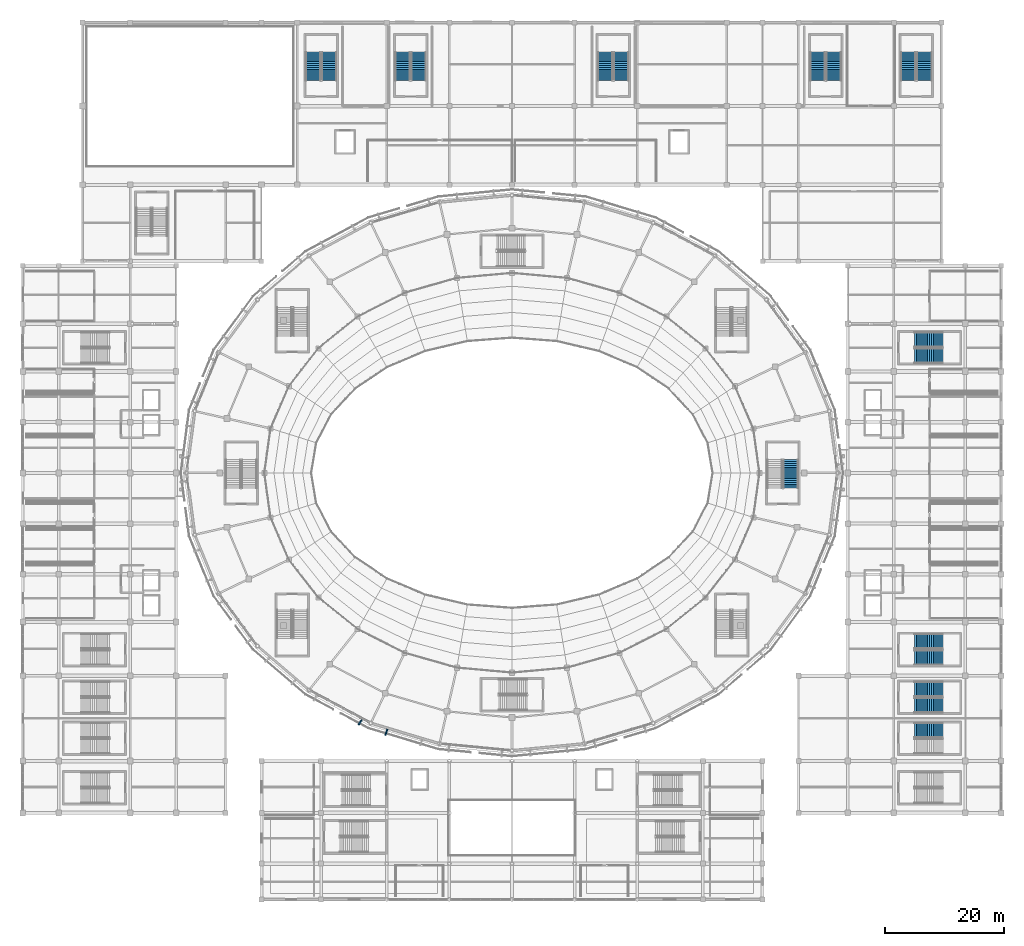
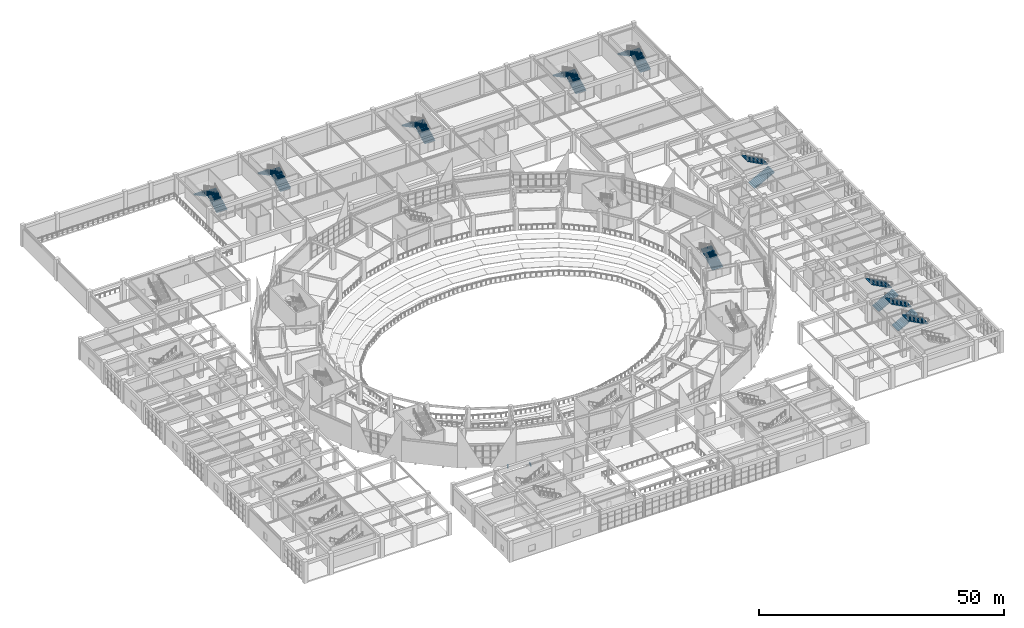
# One storey, part 88 of 120: 18 stair flights, 2 discrete accessories, 10 elements without a shape of their own.
"""IFC4 building model written with IfcOpenShell, lengths in metres."""

from ifc_helpers import new_model, si_unit, direction, frame, origin, origin_2d, place, context, subcontext, project, spatial, polyline, rectangle, outline, extrude, material, type_object, element, aggregate, save


model = new_model("IFC4")

# Units and contexts
model_context = context("Model", 3, precision=1e-05, world=origin(), true_north=direction((0.0, 1.0)))
body_context = subcontext(model_context, "Body", "Model", "MODEL_VIEW")
ifc_project = project(units=[si_unit("LENGTHUNIT", "METRE"), si_unit("AREAUNIT", "SQUARE_METRE"), si_unit("VOLUMEUNIT", "CUBIC_METRE"), si_unit("PLANEANGLEUNIT", "RADIAN"), si_unit("MASSUNIT", "GRAM", prefix="KILO")], contexts=[model_context])

# Site, building, storey
site_placement = place(None, origin())
site = spatial("IfcSite", under=ifc_project, at=site_placement, CompositionType="ELEMENT")
building_placement = place(site_placement, origin())
building = spatial("IfcBuilding", under=site, at=building_placement, Name="Cuetzalor Civic Arena", CompositionType="ELEMENT")
storey_placement = place(building_placement, frame((0.0, 0.0, 6.0)))
storey = spatial("IfcBuildingStorey", under=building, at=storey_placement, Name="L01", CompositionType="ELEMENT", Elevation=6.0)

# Stair, stair flight
ifc_material_1 = material(Name="Precast concrete C40/50", Category="concrete")
stair_type = type_object("IfcStairType", Name="EnclosedExitStair_H540", PredefinedType="HALF_TURN_STAIR", material=ifc_material_1)
stair_1_placement = place(storey_placement, origin())
stair_1 = element("IfcStair", 1, at=stair_1_placement, inside=storey, type_object=stair_type, Name="L01 Enclosed Exit Stair ST-01", PredefinedType="HALF_TURN_STAIR")
ifc_material_2 = material(Name="Precast concrete C40/50", Category="concrete")
stair_flight_type = type_object("IfcStairFlightType", Name="ExitStairFlight_H540", PredefinedType="STRAIGHT", material=ifc_material_2)
stair_flight_1_placement = place(storey_placement, frame((46.75, -2.550048828125, 0.0), z_axis=(0.0, 0.0, 1.0), x_axis=(0.0, 1.0, 0.0)))
stair_flight_1 = element("IfcStairFlight", 2, at=stair_flight_1_placement, type_object=stair_flight_type, Name="ST-01 flight 1", NumberOfRisers=16, NumberOfTreads=15, PredefinedType="STRAIGHT", RiserHeight=0.16875, TreadLength=0.318, context=body_context, shape_type="SweptSolid", body=[
    extrude(outline(polyline([(0.0, 0.0), (0.0, 0.168701171875), (0.318115234375, 0.168701171875), (0.318115234375, 0.33740234375), (0.635986328125, 0.33740234375), (0.635986328125, 0.50634765625), (0.9541015625, 0.50634765625), (0.9541015625, 0.675048828125), (1.27197265625, 0.675048828125), (1.27197265625, 0.84375), (1.590087890625, 0.84375), (1.590087890625, 1.012451171875), (1.907958984375, 1.012451171875), (1.907958984375, 1.18115234375), (2.22607421875, 1.18115234375), (2.22607421875, 1.35009765625), (2.5439453125, 1.35009765625), (2.5439453125, 1.518798828125), (2.862060546875, 1.518798828125), (2.862060546875, 1.6875), (3.179931640625, 1.6875), (3.179931640625, 1.856201171875), (3.498046875, 1.856201171875), (3.498046875, 2.02490234375), (3.81591796875, 2.02490234375), (3.81591796875, 2.19384765625), (4.134033203125, 2.19384765625), (4.134033203125, 2.362548828125), (4.451904296875, 2.362548828125), (4.451904296875, 2.53125), (4.77001953125, 2.53125), (4.77001953125, 2.699951171875), (4.77001953125, 2.32763671875), (0.3837890625, 0.0), (0.0, 0.0)])), frame((0.0, 1.25, 0.0), z_axis=(0.0, -1.0, 0.0), x_axis=(1.0, 0.0, 0.0)), (0.0, 0.0, 1.0), 2.5),
])
aggregate(stair_1, [stair_flight_1])

stair_2_placement = place(storey_placement, origin())
stair_2 = element("IfcStair", 3, at=stair_2_placement, inside=storey, type_object=stair_type, Name="L01 Enclosed Exit Stair ST-19", PredefinedType="HALF_TURN_STAIR")
stair_flight_2_placement = place(storey_placement, frame((72.219970703125, -43.14990234375, 2.699951171875), z_axis=(0.0, 0.0, 1.0), x_axis=(-1.0, 0.0, 0.0)))
stair_flight_2 = element("IfcStairFlight", 4, at=stair_flight_2_placement, type_object=stair_flight_type, Name="ST-19 flight 2", NumberOfRisers=16, NumberOfTreads=15, PredefinedType="STRAIGHT", RiserHeight=0.16875, TreadLength=0.318, context=body_context, shape_type="SweptSolid", body=[
    extrude(outline(polyline([(0.0, 0.0), (0.0, 0.168701171875), (0.318115234375, 0.168701171875), (0.318115234375, 0.33740234375), (0.635986328125, 0.33740234375), (0.635986328125, 0.50634765625), (0.9541015625, 0.50634765625), (0.9541015625, 0.675048828125), (1.27197265625, 0.675048828125), (1.27197265625, 0.84375), (1.590087890625, 0.84375), (1.590087890625, 1.012451171875), (1.907958984375, 1.012451171875), (1.907958984375, 1.18115234375), (2.22607421875, 1.18115234375), (2.22607421875, 1.35009765625), (2.5439453125, 1.35009765625), (2.5439453125, 1.518798828125), (2.862060546875, 1.518798828125), (2.862060546875, 1.6875), (3.179931640625, 1.6875), (3.179931640625, 1.856201171875), (3.498046875, 1.856201171875), (3.498046875, 2.02490234375), (3.81591796875, 2.02490234375), (3.81591796875, 2.19384765625), (4.134033203125, 2.19384765625), (4.134033203125, 2.362548828125), (4.451904296875, 2.362548828125), (4.451904296875, 2.53125), (4.77001953125, 2.53125), (4.77001953125, 2.699951171875), (4.77001953125, 2.32763671875), (0.3837890625, 0.0), (0.0, 0.0)])), frame((0.0, 1.25, 0.0), z_axis=(0.0, -1.0, 0.0), x_axis=(1.0, 0.0, 0.0)), (0.0, 0.0, 1.0), 2.5),
])
aggregate(stair_2, [stair_flight_2])

# Stair, stair flights
stair_3_placement = place(storey_placement, origin())
stair_3 = element("IfcStair", 5, at=stair_3_placement, inside=storey, type_object=stair_type, Name="L01 Enclosed Exit Stair ST-20", PredefinedType="HALF_TURN_STAIR")
stair_flight_3_placement = place(storey_placement, frame((67.449951171875, -38.949951171875, 0.0), z_axis=(0.0, 0.0, 1.0), x_axis=(1.0, 0.0, 0.0)))
stair_flight_3 = element("IfcStairFlight", 6, at=stair_flight_3_placement, type_object=stair_flight_type, Name="ST-20 flight 1", NumberOfRisers=16, NumberOfTreads=15, PredefinedType="STRAIGHT", RiserHeight=0.16875, TreadLength=0.318, context=body_context, shape_type="SweptSolid", body=[
    extrude(outline(polyline([(0.0, 0.0), (0.0, 0.168701171875), (0.318115234375, 0.168701171875), (0.318115234375, 0.33740234375), (0.635986328125, 0.33740234375), (0.635986328125, 0.50634765625), (0.9541015625, 0.50634765625), (0.9541015625, 0.675048828125), (1.27197265625, 0.675048828125), (1.27197265625, 0.84375), (1.590087890625, 0.84375), (1.590087890625, 1.012451171875), (1.907958984375, 1.012451171875), (1.907958984375, 1.18115234375), (2.22607421875, 1.18115234375), (2.22607421875, 1.35009765625), (2.5439453125, 1.35009765625), (2.5439453125, 1.518798828125), (2.862060546875, 1.518798828125), (2.862060546875, 1.6875), (3.179931640625, 1.6875), (3.179931640625, 1.856201171875), (3.498046875, 1.856201171875), (3.498046875, 2.02490234375), (3.81591796875, 2.02490234375), (3.81591796875, 2.19384765625), (4.134033203125, 2.19384765625), (4.134033203125, 2.362548828125), (4.451904296875, 2.362548828125), (4.451904296875, 2.53125), (4.77001953125, 2.53125), (4.77001953125, 2.699951171875), (4.77001953125, 2.32763671875), (0.3837890625, 0.0), (0.0, 0.0)])), frame((0.0, 1.25, 0.0), z_axis=(0.0, -1.0, 0.0), x_axis=(1.0, 0.0, 0.0)), (0.0, 0.0, 1.0), 2.5),
])
stair_flight_4_placement = place(storey_placement, frame((72.219970703125, -36.25, 2.699951171875), z_axis=(0.0, 0.0, 1.0), x_axis=(-1.0, 0.0, 0.0)))
stair_flight_4 = element("IfcStairFlight", 7, at=stair_flight_4_placement, type_object=stair_flight_type, Name="ST-20 flight 2", NumberOfRisers=16, NumberOfTreads=15, PredefinedType="STRAIGHT", RiserHeight=0.16875, TreadLength=0.318, context=body_context, shape_type="SweptSolid", body=[
    extrude(outline(polyline([(0.0, 0.0), (0.0, 0.168701171875), (0.318115234375, 0.168701171875), (0.318115234375, 0.33740234375), (0.635986328125, 0.33740234375), (0.635986328125, 0.50634765625), (0.9541015625, 0.50634765625), (0.9541015625, 0.675048828125), (1.27197265625, 0.675048828125), (1.27197265625, 0.84375), (1.590087890625, 0.84375), (1.590087890625, 1.012451171875), (1.907958984375, 1.012451171875), (1.907958984375, 1.18115234375), (2.22607421875, 1.18115234375), (2.22607421875, 1.35009765625), (2.5439453125, 1.35009765625), (2.5439453125, 1.518798828125), (2.862060546875, 1.518798828125), (2.862060546875, 1.6875), (3.179931640625, 1.6875), (3.179931640625, 1.856201171875), (3.498046875, 1.856201171875), (3.498046875, 2.02490234375), (3.81591796875, 2.02490234375), (3.81591796875, 2.19384765625), (4.134033203125, 2.19384765625), (4.134033203125, 2.362548828125), (4.451904296875, 2.362548828125), (4.451904296875, 2.53125), (4.77001953125, 2.53125), (4.77001953125, 2.699951171875), (4.77001953125, 2.32763671875), (0.3837890625, 0.0), (0.0, 0.0)])), frame((0.0, 1.25, 0.0), z_axis=(0.0, -1.0, 0.0), x_axis=(1.0, 0.0, 0.0)), (0.0, 0.0, 1.0), 2.5),
])
aggregate(stair_3, [stair_flight_3, stair_flight_4])

stair_4_placement = place(storey_placement, origin())
stair_4 = element("IfcStair", 8, at=stair_4_placement, inside=storey, type_object=stair_type, Name="L01 Enclosed Exit Stair ST-21", PredefinedType="HALF_TURN_STAIR")
stair_flight_5_placement = place(storey_placement, frame((67.449951171875, -30.949951171875, 0.0), z_axis=(0.0, 0.0, 1.0), x_axis=(1.0, 0.0, 0.0)))
stair_flight_5 = element("IfcStairFlight", 9, at=stair_flight_5_placement, type_object=stair_flight_type, Name="ST-21 flight 1", NumberOfRisers=16, NumberOfTreads=15, PredefinedType="STRAIGHT", RiserHeight=0.16875, TreadLength=0.318, context=body_context, shape_type="SweptSolid", body=[
    extrude(outline(polyline([(0.0, 0.0), (0.0, 0.168701171875), (0.318115234375, 0.168701171875), (0.318115234375, 0.33740234375), (0.635986328125, 0.33740234375), (0.635986328125, 0.50634765625), (0.9541015625, 0.50634765625), (0.9541015625, 0.675048828125), (1.27197265625, 0.675048828125), (1.27197265625, 0.84375), (1.590087890625, 0.84375), (1.590087890625, 1.012451171875), (1.907958984375, 1.012451171875), (1.907958984375, 1.18115234375), (2.22607421875, 1.18115234375), (2.22607421875, 1.35009765625), (2.5439453125, 1.35009765625), (2.5439453125, 1.518798828125), (2.862060546875, 1.518798828125), (2.862060546875, 1.6875), (3.179931640625, 1.6875), (3.179931640625, 1.856201171875), (3.498046875, 1.856201171875), (3.498046875, 2.02490234375), (3.81591796875, 2.02490234375), (3.81591796875, 2.19384765625), (4.134033203125, 2.19384765625), (4.134033203125, 2.362548828125), (4.451904296875, 2.362548828125), (4.451904296875, 2.53125), (4.77001953125, 2.53125), (4.77001953125, 2.699951171875), (4.77001953125, 2.32763671875), (0.3837890625, 0.0), (0.0, 0.0)])), frame((0.0, 1.25, 0.0), z_axis=(0.0, -1.0, 0.0), x_axis=(1.0, 0.0, 0.0)), (0.0, 0.0, 1.0), 2.5),
])
stair_flight_6_placement = place(storey_placement, frame((72.219970703125, -28.25, 2.699951171875), z_axis=(0.0, 0.0, 1.0), x_axis=(-1.0, 0.0, 0.0)))
stair_flight_6 = element("IfcStairFlight", 10, at=stair_flight_6_placement, type_object=stair_flight_type, Name="ST-21 flight 2", NumberOfRisers=16, NumberOfTreads=15, PredefinedType="STRAIGHT", RiserHeight=0.16875, TreadLength=0.318, context=body_context, shape_type="SweptSolid", body=[
    extrude(outline(polyline([(0.0, 0.0), (0.0, 0.168701171875), (0.318115234375, 0.168701171875), (0.318115234375, 0.33740234375), (0.635986328125, 0.33740234375), (0.635986328125, 0.50634765625), (0.9541015625, 0.50634765625), (0.9541015625, 0.675048828125), (1.27197265625, 0.675048828125), (1.27197265625, 0.84375), (1.590087890625, 0.84375), (1.590087890625, 1.012451171875), (1.907958984375, 1.012451171875), (1.907958984375, 1.18115234375), (2.22607421875, 1.18115234375), (2.22607421875, 1.35009765625), (2.5439453125, 1.35009765625), (2.5439453125, 1.518798828125), (2.862060546875, 1.518798828125), (2.862060546875, 1.6875), (3.179931640625, 1.6875), (3.179931640625, 1.856201171875), (3.498046875, 1.856201171875), (3.498046875, 2.02490234375), (3.81591796875, 2.02490234375), (3.81591796875, 2.19384765625), (4.134033203125, 2.19384765625), (4.134033203125, 2.362548828125), (4.451904296875, 2.362548828125), (4.451904296875, 2.53125), (4.77001953125, 2.53125), (4.77001953125, 2.699951171875), (4.77001953125, 2.32763671875), (0.3837890625, 0.0), (0.0, 0.0)])), frame((0.0, 1.25, 0.0), z_axis=(0.0, -1.0, 0.0), x_axis=(1.0, 0.0, 0.0)), (0.0, 0.0, 1.0), 2.5),
])
aggregate(stair_4, [stair_flight_5, stair_flight_6])

stair_5_placement = place(storey_placement, origin())
stair_5 = element("IfcStair", 11, at=stair_5_placement, inside=storey, type_object=stair_type, Name="L01 Enclosed Exit Stair ST-22", PredefinedType="HALF_TURN_STAIR")
stair_flight_7_placement = place(storey_placement, frame((67.449951171875, 19.64990234375, 0.0), z_axis=(0.0, 0.0, 1.0), x_axis=(1.0, 0.0, 0.0)))
stair_flight_7 = element("IfcStairFlight", 12, at=stair_flight_7_placement, type_object=stair_flight_type, Name="ST-22 flight 1", NumberOfRisers=16, NumberOfTreads=15, PredefinedType="STRAIGHT", RiserHeight=0.16875, TreadLength=0.318, context=body_context, shape_type="SweptSolid", body=[
    extrude(outline(polyline([(0.0, 0.0), (0.0, 0.168701171875), (0.318115234375, 0.168701171875), (0.318115234375, 0.33740234375), (0.635986328125, 0.33740234375), (0.635986328125, 0.50634765625), (0.9541015625, 0.50634765625), (0.9541015625, 0.675048828125), (1.27197265625, 0.675048828125), (1.27197265625, 0.84375), (1.590087890625, 0.84375), (1.590087890625, 1.012451171875), (1.907958984375, 1.012451171875), (1.907958984375, 1.18115234375), (2.22607421875, 1.18115234375), (2.22607421875, 1.35009765625), (2.5439453125, 1.35009765625), (2.5439453125, 1.518798828125), (2.862060546875, 1.518798828125), (2.862060546875, 1.6875), (3.179931640625, 1.6875), (3.179931640625, 1.856201171875), (3.498046875, 1.856201171875), (3.498046875, 2.02490234375), (3.81591796875, 2.02490234375), (3.81591796875, 2.19384765625), (4.134033203125, 2.19384765625), (4.134033203125, 2.362548828125), (4.451904296875, 2.362548828125), (4.451904296875, 2.53125), (4.77001953125, 2.53125), (4.77001953125, 2.699951171875), (4.77001953125, 2.32763671875), (0.3837890625, 0.0), (0.0, 0.0)])), frame((0.0, 1.25, 0.0), z_axis=(0.0, -1.0, 0.0), x_axis=(1.0, 0.0, 0.0)), (0.0, 0.0, 1.0), 2.5),
])
stair_flight_8_placement = place(storey_placement, frame((72.219970703125, 22.35009765625, 2.699951171875), z_axis=(0.0, 0.0, 1.0), x_axis=(-1.0, 0.0, 0.0)))
stair_flight_8 = element("IfcStairFlight", 13, at=stair_flight_8_placement, type_object=stair_flight_type, Name="ST-22 flight 2", NumberOfRisers=16, NumberOfTreads=15, PredefinedType="STRAIGHT", RiserHeight=0.16875, TreadLength=0.318, context=body_context, shape_type="SweptSolid", body=[
    extrude(outline(polyline([(0.0, 0.0), (0.0, 0.168701171875), (0.318115234375, 0.168701171875), (0.318115234375, 0.33740234375), (0.635986328125, 0.33740234375), (0.635986328125, 0.50634765625), (0.9541015625, 0.50634765625), (0.9541015625, 0.675048828125), (1.27197265625, 0.675048828125), (1.27197265625, 0.84375), (1.590087890625, 0.84375), (1.590087890625, 1.012451171875), (1.907958984375, 1.012451171875), (1.907958984375, 1.18115234375), (2.22607421875, 1.18115234375), (2.22607421875, 1.35009765625), (2.5439453125, 1.35009765625), (2.5439453125, 1.518798828125), (2.862060546875, 1.518798828125), (2.862060546875, 1.6875), (3.179931640625, 1.6875), (3.179931640625, 1.856201171875), (3.498046875, 1.856201171875), (3.498046875, 2.02490234375), (3.81591796875, 2.02490234375), (3.81591796875, 2.19384765625), (4.134033203125, 2.19384765625), (4.134033203125, 2.362548828125), (4.451904296875, 2.362548828125), (4.451904296875, 2.53125), (4.77001953125, 2.53125), (4.77001953125, 2.699951171875), (4.77001953125, 2.32763671875), (0.3837890625, 0.0), (0.0, 0.0)])), frame((0.0, 1.25, 0.0), z_axis=(0.0, -1.0, 0.0), x_axis=(1.0, 0.0, 0.0)), (0.0, 0.0, 1.0), 2.5),
])
aggregate(stair_5, [stair_flight_7, stair_flight_8])

stair_6_placement = place(storey_placement, origin())
stair_6 = element("IfcStair", 14, at=stair_6_placement, inside=storey, type_object=stair_type, Name="L01 Enclosed Exit Stair ST-24", PredefinedType="HALF_TURN_STAIR")
stair_flight_9_placement = place(storey_placement, frame((-30.64990234375, 65.75, 0.0), z_axis=(0.0, 0.0, 1.0), x_axis=(0.0, 1.0, 0.0)))
stair_flight_9 = element("IfcStairFlight", 15, at=stair_flight_9_placement, type_object=stair_flight_type, Name="ST-24 flight 1", NumberOfRisers=16, NumberOfTreads=15, PredefinedType="STRAIGHT", RiserHeight=0.16875, TreadLength=0.318, context=body_context, shape_type="SweptSolid", body=[
    extrude(outline(polyline([(0.0, 0.0), (0.0, 0.168701171875), (0.318115234375, 0.168701171875), (0.318115234375, 0.33740234375), (0.635986328125, 0.33740234375), (0.635986328125, 0.50634765625), (0.9541015625, 0.50634765625), (0.9541015625, 0.675048828125), (1.27197265625, 0.675048828125), (1.27197265625, 0.84375), (1.590087890625, 0.84375), (1.590087890625, 1.012451171875), (1.907958984375, 1.012451171875), (1.907958984375, 1.18115234375), (2.22607421875, 1.18115234375), (2.22607421875, 1.35009765625), (2.5439453125, 1.35009765625), (2.5439453125, 1.518798828125), (2.862060546875, 1.518798828125), (2.862060546875, 1.6875), (3.179931640625, 1.6875), (3.179931640625, 1.856201171875), (3.498046875, 1.856201171875), (3.498046875, 2.02490234375), (3.81591796875, 2.02490234375), (3.81591796875, 2.19384765625), (4.134033203125, 2.19384765625), (4.134033203125, 2.362548828125), (4.451904296875, 2.362548828125), (4.451904296875, 2.53125), (4.77001953125, 2.53125), (4.77001953125, 2.699951171875), (4.77001953125, 2.32763671875), (0.3837890625, 0.0), (0.0, 0.0)])), frame((0.0, 1.25, 0.0), z_axis=(0.0, -1.0, 0.0), x_axis=(1.0, 0.0, 0.0)), (0.0, 0.0, 1.0), 2.5),
])
stair_flight_10_placement = place(storey_placement, frame((-33.35009765625, 70.52001953125, 2.699951171875), z_axis=(0.0, 0.0, 1.0), x_axis=(0.0, -1.0, 0.0)))
stair_flight_10 = element("IfcStairFlight", 16, at=stair_flight_10_placement, type_object=stair_flight_type, Name="ST-24 flight 2", NumberOfRisers=16, NumberOfTreads=15, PredefinedType="STRAIGHT", RiserHeight=0.16875, TreadLength=0.318, context=body_context, shape_type="SweptSolid", body=[
    extrude(outline(polyline([(0.0, 0.0), (0.0, 0.168701171875), (0.318115234375, 0.168701171875), (0.318115234375, 0.33740234375), (0.635986328125, 0.33740234375), (0.635986328125, 0.50634765625), (0.9541015625, 0.50634765625), (0.9541015625, 0.675048828125), (1.27197265625, 0.675048828125), (1.27197265625, 0.84375), (1.590087890625, 0.84375), (1.590087890625, 1.012451171875), (1.907958984375, 1.012451171875), (1.907958984375, 1.18115234375), (2.22607421875, 1.18115234375), (2.22607421875, 1.35009765625), (2.5439453125, 1.35009765625), (2.5439453125, 1.518798828125), (2.862060546875, 1.518798828125), (2.862060546875, 1.6875), (3.179931640625, 1.6875), (3.179931640625, 1.856201171875), (3.498046875, 1.856201171875), (3.498046875, 2.02490234375), (3.81591796875, 2.02490234375), (3.81591796875, 2.19384765625), (4.134033203125, 2.19384765625), (4.134033203125, 2.362548828125), (4.451904296875, 2.362548828125), (4.451904296875, 2.53125), (4.77001953125, 2.53125), (4.77001953125, 2.699951171875), (4.77001953125, 2.32763671875), (0.3837890625, 0.0), (0.0, 0.0)])), frame((0.0, 1.25, 0.0), z_axis=(0.0, -1.0, 0.0), x_axis=(1.0, 0.0, 0.0)), (0.0, 0.0, 1.0), 2.5),
])
aggregate(stair_6, [stair_flight_9, stair_flight_10])

stair_7_placement = place(storey_placement, origin())
stair_7 = element("IfcStair", 17, at=stair_7_placement, inside=storey, type_object=stair_type, Name="L01 Enclosed Exit Stair ST-25", PredefinedType="HALF_TURN_STAIR")
stair_flight_11_placement = place(storey_placement, frame((-15.64990234375, 65.75, 0.0), z_axis=(0.0, 0.0, 1.0), x_axis=(0.0, 1.0, 0.0)))
stair_flight_11 = element("IfcStairFlight", 18, at=stair_flight_11_placement, type_object=stair_flight_type, Name="ST-25 flight 1", NumberOfRisers=16, NumberOfTreads=15, PredefinedType="STRAIGHT", RiserHeight=0.16875, TreadLength=0.318, context=body_context, shape_type="SweptSolid", body=[
    extrude(outline(polyline([(0.0, 0.0), (0.0, 0.168701171875), (0.318115234375, 0.168701171875), (0.318115234375, 0.33740234375), (0.635986328125, 0.33740234375), (0.635986328125, 0.50634765625), (0.9541015625, 0.50634765625), (0.9541015625, 0.675048828125), (1.27197265625, 0.675048828125), (1.27197265625, 0.84375), (1.590087890625, 0.84375), (1.590087890625, 1.012451171875), (1.907958984375, 1.012451171875), (1.907958984375, 1.18115234375), (2.22607421875, 1.18115234375), (2.22607421875, 1.35009765625), (2.5439453125, 1.35009765625), (2.5439453125, 1.518798828125), (2.862060546875, 1.518798828125), (2.862060546875, 1.6875), (3.179931640625, 1.6875), (3.179931640625, 1.856201171875), (3.498046875, 1.856201171875), (3.498046875, 2.02490234375), (3.81591796875, 2.02490234375), (3.81591796875, 2.19384765625), (4.134033203125, 2.19384765625), (4.134033203125, 2.362548828125), (4.451904296875, 2.362548828125), (4.451904296875, 2.53125), (4.77001953125, 2.53125), (4.77001953125, 2.699951171875), (4.77001953125, 2.32763671875), (0.3837890625, 0.0), (0.0, 0.0)])), frame((0.0, 1.25, 0.0), z_axis=(0.0, -1.0, 0.0), x_axis=(1.0, 0.0, 0.0)), (0.0, 0.0, 1.0), 2.5),
])
stair_flight_12_placement = place(storey_placement, frame((-18.35009765625, 70.52001953125, 2.699951171875), z_axis=(0.0, 0.0, 1.0), x_axis=(0.0, -1.0, 0.0)))
stair_flight_12 = element("IfcStairFlight", 19, at=stair_flight_12_placement, type_object=stair_flight_type, Name="ST-25 flight 2", NumberOfRisers=16, NumberOfTreads=15, PredefinedType="STRAIGHT", RiserHeight=0.16875, TreadLength=0.318, context=body_context, shape_type="SweptSolid", body=[
    extrude(outline(polyline([(0.0, 0.0), (0.0, 0.168701171875), (0.318115234375, 0.168701171875), (0.318115234375, 0.33740234375), (0.635986328125, 0.33740234375), (0.635986328125, 0.50634765625), (0.9541015625, 0.50634765625), (0.9541015625, 0.675048828125), (1.27197265625, 0.675048828125), (1.27197265625, 0.84375), (1.590087890625, 0.84375), (1.590087890625, 1.012451171875), (1.907958984375, 1.012451171875), (1.907958984375, 1.18115234375), (2.22607421875, 1.18115234375), (2.22607421875, 1.35009765625), (2.5439453125, 1.35009765625), (2.5439453125, 1.518798828125), (2.862060546875, 1.518798828125), (2.862060546875, 1.6875), (3.179931640625, 1.6875), (3.179931640625, 1.856201171875), (3.498046875, 1.856201171875), (3.498046875, 2.02490234375), (3.81591796875, 2.02490234375), (3.81591796875, 2.19384765625), (4.134033203125, 2.19384765625), (4.134033203125, 2.362548828125), (4.451904296875, 2.362548828125), (4.451904296875, 2.53125), (4.77001953125, 2.53125), (4.77001953125, 2.699951171875), (4.77001953125, 2.32763671875), (0.3837890625, 0.0), (0.0, 0.0)])), frame((0.0, 1.25, 0.0), z_axis=(0.0, -1.0, 0.0), x_axis=(1.0, 0.0, 0.0)), (0.0, 0.0, 1.0), 2.5),
])
aggregate(stair_7, [stair_flight_11, stair_flight_12])

stair_8_placement = place(storey_placement, origin())
stair_8 = element("IfcStair", 20, at=stair_8_placement, inside=storey, type_object=stair_type, Name="L01 Enclosed Exit Stair ST-26", PredefinedType="HALF_TURN_STAIR")
stair_flight_13_placement = place(storey_placement, frame((18.35009765625, 65.75, 0.0), z_axis=(0.0, 0.0, 1.0), x_axis=(0.0, 1.0, 0.0)))
stair_flight_13 = element("IfcStairFlight", 21, at=stair_flight_13_placement, type_object=stair_flight_type, Name="ST-26 flight 1", NumberOfRisers=16, NumberOfTreads=15, PredefinedType="STRAIGHT", RiserHeight=0.16875, TreadLength=0.318, context=body_context, shape_type="SweptSolid", body=[
    extrude(outline(polyline([(0.0, 0.0), (0.0, 0.168701171875), (0.318115234375, 0.168701171875), (0.318115234375, 0.33740234375), (0.635986328125, 0.33740234375), (0.635986328125, 0.50634765625), (0.9541015625, 0.50634765625), (0.9541015625, 0.675048828125), (1.27197265625, 0.675048828125), (1.27197265625, 0.84375), (1.590087890625, 0.84375), (1.590087890625, 1.012451171875), (1.907958984375, 1.012451171875), (1.907958984375, 1.18115234375), (2.22607421875, 1.18115234375), (2.22607421875, 1.35009765625), (2.5439453125, 1.35009765625), (2.5439453125, 1.518798828125), (2.862060546875, 1.518798828125), (2.862060546875, 1.6875), (3.179931640625, 1.6875), (3.179931640625, 1.856201171875), (3.498046875, 1.856201171875), (3.498046875, 2.02490234375), (3.81591796875, 2.02490234375), (3.81591796875, 2.19384765625), (4.134033203125, 2.19384765625), (4.134033203125, 2.362548828125), (4.451904296875, 2.362548828125), (4.451904296875, 2.53125), (4.77001953125, 2.53125), (4.77001953125, 2.699951171875), (4.77001953125, 2.32763671875), (0.3837890625, 0.0), (0.0, 0.0)])), frame((0.0, 1.25, 0.0), z_axis=(0.0, -1.0, 0.0), x_axis=(1.0, 0.0, 0.0)), (0.0, 0.0, 1.0), 2.5),
])
stair_flight_14_placement = place(storey_placement, frame((15.64990234375, 70.52001953125, 2.699951171875), z_axis=(0.0, 0.0, 1.0), x_axis=(0.0, -1.0, 0.0)))
stair_flight_14 = element("IfcStairFlight", 22, at=stair_flight_14_placement, type_object=stair_flight_type, Name="ST-26 flight 2", NumberOfRisers=16, NumberOfTreads=15, PredefinedType="STRAIGHT", RiserHeight=0.16875, TreadLength=0.318, context=body_context, shape_type="SweptSolid", body=[
    extrude(outline(polyline([(0.0, 0.0), (0.0, 0.168701171875), (0.318115234375, 0.168701171875), (0.318115234375, 0.33740234375), (0.635986328125, 0.33740234375), (0.635986328125, 0.50634765625), (0.9541015625, 0.50634765625), (0.9541015625, 0.675048828125), (1.27197265625, 0.675048828125), (1.27197265625, 0.84375), (1.590087890625, 0.84375), (1.590087890625, 1.012451171875), (1.907958984375, 1.012451171875), (1.907958984375, 1.18115234375), (2.22607421875, 1.18115234375), (2.22607421875, 1.35009765625), (2.5439453125, 1.35009765625), (2.5439453125, 1.518798828125), (2.862060546875, 1.518798828125), (2.862060546875, 1.6875), (3.179931640625, 1.6875), (3.179931640625, 1.856201171875), (3.498046875, 1.856201171875), (3.498046875, 2.02490234375), (3.81591796875, 2.02490234375), (3.81591796875, 2.19384765625), (4.134033203125, 2.19384765625), (4.134033203125, 2.362548828125), (4.451904296875, 2.362548828125), (4.451904296875, 2.53125), (4.77001953125, 2.53125), (4.77001953125, 2.699951171875), (4.77001953125, 2.32763671875), (0.3837890625, 0.0), (0.0, 0.0)])), frame((0.0, 1.25, 0.0), z_axis=(0.0, -1.0, 0.0), x_axis=(1.0, 0.0, 0.0)), (0.0, 0.0, 1.0), 2.5),
])
aggregate(stair_8, [stair_flight_13, stair_flight_14])

stair_9_placement = place(storey_placement, origin())
stair_9 = element("IfcStair", 23, at=stair_9_placement, inside=storey, type_object=stair_type, Name="L01 Enclosed Exit Stair ST-27", PredefinedType="HALF_TURN_STAIR")
stair_flight_15_placement = place(storey_placement, frame((53.949951171875, 65.75, 0.0), z_axis=(0.0, 0.0, 1.0), x_axis=(0.0, 1.0, 0.0)))
stair_flight_15 = element("IfcStairFlight", 24, at=stair_flight_15_placement, type_object=stair_flight_type, Name="ST-27 flight 1", NumberOfRisers=16, NumberOfTreads=15, PredefinedType="STRAIGHT", RiserHeight=0.16875, TreadLength=0.318, context=body_context, shape_type="SweptSolid", body=[
    extrude(outline(polyline([(0.0, 0.0), (0.0, 0.168701171875), (0.318115234375, 0.168701171875), (0.318115234375, 0.33740234375), (0.635986328125, 0.33740234375), (0.635986328125, 0.50634765625), (0.9541015625, 0.50634765625), (0.9541015625, 0.675048828125), (1.27197265625, 0.675048828125), (1.27197265625, 0.84375), (1.590087890625, 0.84375), (1.590087890625, 1.012451171875), (1.907958984375, 1.012451171875), (1.907958984375, 1.18115234375), (2.22607421875, 1.18115234375), (2.22607421875, 1.35009765625), (2.5439453125, 1.35009765625), (2.5439453125, 1.518798828125), (2.862060546875, 1.518798828125), (2.862060546875, 1.6875), (3.179931640625, 1.6875), (3.179931640625, 1.856201171875), (3.498046875, 1.856201171875), (3.498046875, 2.02490234375), (3.81591796875, 2.02490234375), (3.81591796875, 2.19384765625), (4.134033203125, 2.19384765625), (4.134033203125, 2.362548828125), (4.451904296875, 2.362548828125), (4.451904296875, 2.53125), (4.77001953125, 2.53125), (4.77001953125, 2.699951171875), (4.77001953125, 2.32763671875), (0.3837890625, 0.0), (0.0, 0.0)])), frame((0.0, 1.25, 0.0), z_axis=(0.0, -1.0, 0.0), x_axis=(1.0, 0.0, 0.0)), (0.0, 0.0, 1.0), 2.5),
])
stair_flight_16_placement = place(storey_placement, frame((51.25, 70.52001953125, 2.699951171875), z_axis=(0.0, 0.0, 1.0), x_axis=(0.0, -1.0, 0.0)))
stair_flight_16 = element("IfcStairFlight", 25, at=stair_flight_16_placement, type_object=stair_flight_type, Name="ST-27 flight 2", NumberOfRisers=16, NumberOfTreads=15, PredefinedType="STRAIGHT", RiserHeight=0.16875, TreadLength=0.318, context=body_context, shape_type="SweptSolid", body=[
    extrude(outline(polyline([(0.0, 0.0), (0.0, 0.168701171875), (0.318115234375, 0.168701171875), (0.318115234375, 0.33740234375), (0.635986328125, 0.33740234375), (0.635986328125, 0.50634765625), (0.9541015625, 0.50634765625), (0.9541015625, 0.675048828125), (1.27197265625, 0.675048828125), (1.27197265625, 0.84375), (1.590087890625, 0.84375), (1.590087890625, 1.012451171875), (1.907958984375, 1.012451171875), (1.907958984375, 1.18115234375), (2.22607421875, 1.18115234375), (2.22607421875, 1.35009765625), (2.5439453125, 1.35009765625), (2.5439453125, 1.518798828125), (2.862060546875, 1.518798828125), (2.862060546875, 1.6875), (3.179931640625, 1.6875), (3.179931640625, 1.856201171875), (3.498046875, 1.856201171875), (3.498046875, 2.02490234375), (3.81591796875, 2.02490234375), (3.81591796875, 2.19384765625), (4.134033203125, 2.19384765625), (4.134033203125, 2.362548828125), (4.451904296875, 2.362548828125), (4.451904296875, 2.53125), (4.77001953125, 2.53125), (4.77001953125, 2.699951171875), (4.77001953125, 2.32763671875), (0.3837890625, 0.0), (0.0, 0.0)])), frame((0.0, 1.25, 0.0), z_axis=(0.0, -1.0, 0.0), x_axis=(1.0, 0.0, 0.0)), (0.0, 0.0, 1.0), 2.5),
])
aggregate(stair_9, [stair_flight_15, stair_flight_16])

stair_10_placement = place(storey_placement, origin())
stair_10 = element("IfcStair", 26, at=stair_10_placement, inside=storey, type_object=stair_type, Name="L01 Enclosed Exit Stair ST-28", PredefinedType="HALF_TURN_STAIR")
stair_flight_17_placement = place(storey_placement, frame((69.14990234375, 65.75, 0.0), z_axis=(0.0, 0.0, 1.0), x_axis=(0.0, 1.0, 0.0)))
stair_flight_17 = element("IfcStairFlight", 27, at=stair_flight_17_placement, type_object=stair_flight_type, Name="ST-28 flight 1", NumberOfRisers=16, NumberOfTreads=15, PredefinedType="STRAIGHT", RiserHeight=0.16875, TreadLength=0.318, context=body_context, shape_type="SweptSolid", body=[
    extrude(outline(polyline([(0.0, 0.0), (0.0, 0.168701171875), (0.318115234375, 0.168701171875), (0.318115234375, 0.33740234375), (0.635986328125, 0.33740234375), (0.635986328125, 0.50634765625), (0.9541015625, 0.50634765625), (0.9541015625, 0.675048828125), (1.27197265625, 0.675048828125), (1.27197265625, 0.84375), (1.590087890625, 0.84375), (1.590087890625, 1.012451171875), (1.907958984375, 1.012451171875), (1.907958984375, 1.18115234375), (2.22607421875, 1.18115234375), (2.22607421875, 1.35009765625), (2.5439453125, 1.35009765625), (2.5439453125, 1.518798828125), (2.862060546875, 1.518798828125), (2.862060546875, 1.6875), (3.179931640625, 1.6875), (3.179931640625, 1.856201171875), (3.498046875, 1.856201171875), (3.498046875, 2.02490234375), (3.81591796875, 2.02490234375), (3.81591796875, 2.19384765625), (4.134033203125, 2.19384765625), (4.134033203125, 2.362548828125), (4.451904296875, 2.362548828125), (4.451904296875, 2.53125), (4.77001953125, 2.53125), (4.77001953125, 2.699951171875), (4.77001953125, 2.32763671875), (0.3837890625, 0.0), (0.0, 0.0)])), frame((0.0, 1.25, 0.0), z_axis=(0.0, -1.0, 0.0), x_axis=(1.0, 0.0, 0.0)), (0.0, 0.0, 1.0), 2.5),
])
stair_flight_18_placement = place(storey_placement, frame((66.449951171875, 70.52001953125, 2.699951171875), z_axis=(0.0, 0.0, 1.0), x_axis=(0.0, -1.0, 0.0)))
stair_flight_18 = element("IfcStairFlight", 28, at=stair_flight_18_placement, type_object=stair_flight_type, Name="ST-28 flight 2", NumberOfRisers=16, NumberOfTreads=15, PredefinedType="STRAIGHT", RiserHeight=0.16875, TreadLength=0.318, context=body_context, shape_type="SweptSolid", body=[
    extrude(outline(polyline([(0.0, 0.0), (0.0, 0.168701171875), (0.318115234375, 0.168701171875), (0.318115234375, 0.33740234375), (0.635986328125, 0.33740234375), (0.635986328125, 0.50634765625), (0.9541015625, 0.50634765625), (0.9541015625, 0.675048828125), (1.27197265625, 0.675048828125), (1.27197265625, 0.84375), (1.590087890625, 0.84375), (1.590087890625, 1.012451171875), (1.907958984375, 1.012451171875), (1.907958984375, 1.18115234375), (2.22607421875, 1.18115234375), (2.22607421875, 1.35009765625), (2.5439453125, 1.35009765625), (2.5439453125, 1.518798828125), (2.862060546875, 1.518798828125), (2.862060546875, 1.6875), (3.179931640625, 1.6875), (3.179931640625, 1.856201171875), (3.498046875, 1.856201171875), (3.498046875, 2.02490234375), (3.81591796875, 2.02490234375), (3.81591796875, 2.19384765625), (4.134033203125, 2.19384765625), (4.134033203125, 2.362548828125), (4.451904296875, 2.362548828125), (4.451904296875, 2.53125), (4.77001953125, 2.53125), (4.77001953125, 2.699951171875), (4.77001953125, 2.32763671875), (0.3837890625, 0.0), (0.0, 0.0)])), frame((0.0, 1.25, 0.0), z_axis=(0.0, -1.0, 0.0), x_axis=(1.0, 0.0, 0.0)), (0.0, 0.0, 1.0), 2.5),
])
aggregate(stair_10, [stair_flight_17, stair_flight_18])

# Discrete accessories
ifc_material_3 = material(Name="Steel S355", Category="steel")
discrete_accessory_type = type_object("IfcDiscreteAccessoryType", Name="ScreenOutriggerBracket_S355", PredefinedType="BRACKET", material=ifc_material_3)
for number, where, z_axis, x_axis, name in (
    (29, (-25.4501953125, -41.8046875, -0.27978515625), (0.0, 0.0, 1.0), (-0.531989852639, -0.84675072878, 0.0), "Drum Screen Triangle Outrigger Bracket L01-0181"),
    (30, (-21.06201171875, -43.46728515625, -0.27978515625), (0.0, 0.0, 1.0), (-0.330184923902, -0.943916265369, 0.0), "Drum Screen Outrigger Bracket L01-0191"),
):
    element("IfcDiscreteAccessory", number, at=place(storey_placement, frame(where, z_axis=z_axis, x_axis=x_axis)), inside=storey, type_object=discrete_accessory_type, Name=name, PredefinedType="BRACKET", context=body_context, shape_type="SweptSolid", body=[
        extrude(rectangle(XDim=1.10009765625, YDim=0.239990234375, at=origin_2d()), origin(), (0.0, 0.0, 1.0), 0.260009765625),
    ])

save(model, "model.ifc")
